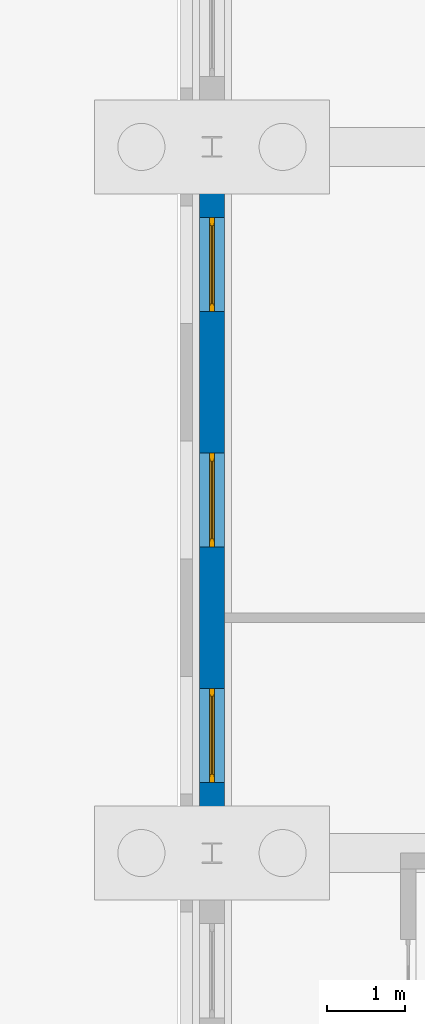
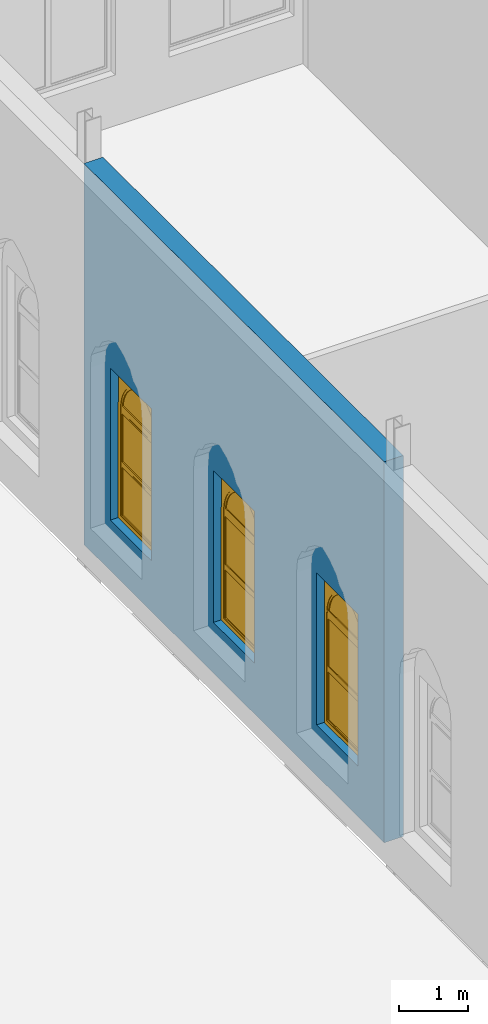
# One storey, part 87 of 250: 3 windows, 1 wall, 3 openings.
"""IFC4 building model written with IfcOpenShell, lengths in metres."""

from ifc_helpers import new_model, si_unit, direction, frame, frame_2d, origin, place, context, subcontext, project, spatial, polyline, rectangle, outline, extrude, material, layer, layer_set, type_object, element, fill, save


model = new_model("IFC4")

# Units and contexts
model_context = context("Model", 3, precision=1e-05, world=origin(), true_north=direction((0.0, 1.0)))
body_context = subcontext(model_context, "Body", "Model", "MODEL_VIEW")
ifc_project = project(units=[si_unit("LENGTHUNIT", "METRE"), si_unit("AREAUNIT", "SQUARE_METRE"), si_unit("VOLUMEUNIT", "CUBIC_METRE"), si_unit("PLANEANGLEUNIT", "RADIAN"), si_unit("MASSUNIT", "GRAM", prefix="KILO")], contexts=[model_context])

# Site, building, storey
site_placement = place(None, origin())
site = spatial("IfcSite", under=ifc_project, at=site_placement, CompositionType="ELEMENT")
building_placement = place(site_placement, origin())
building = spatial("IfcBuilding", under=site, at=building_placement, Name="Baradari Gate Terminus", CompositionType="ELEMENT")
storey_placement = place(building_placement, origin())
storey = spatial("IfcBuildingStorey", under=building, at=storey_placement, Name="L00", CompositionType="ELEMENT", Elevation=0.0)

# Wall, openings, windows
ifc_material_1 = material(Name="Sandstone masonry", Category="masonry")
ifc_layer = layer(ifc_material_1, 0.320068359375)
ifc_layer_set = layer_set([ifc_layer], Name="Sandstone masonry")
wall_type = type_object("IfcWallType", Name="Sandstone masonry wall WS-3 320", PredefinedType="SOLIDWALL", material=ifc_layer_set)
wall_placement = place(storey_placement, frame((63.0, 18.130126953125, 0.0), z_axis=(0.0, 0.0, 1.0), x_axis=(0.0, 1.0, 0.0)))
wall = element("IfcWall", 1, at=wall_placement, inside=storey, type_object=wall_type, Name="west end wall SW bay 3 L00", PredefinedType="SOLIDWALL", context=body_context, shape_type="SweptSolid", body=[
    extrude(rectangle(XDim=8.73974609375, YDim=0.320068359375, at=frame_2d((4.369873046875, 0.0))), origin(), (0.0, 0.0, 1.0), 6.767333984375),
])
opening_1_placement = place(wall_placement, frame((0.769775390625, 0.0, 0.89990234375)))
opening_1 = element("IfcOpeningElement", 2, at=opening_1_placement, cuts=wall, Name="Opening W7", PredefinedType="OPENING", context=body_context, shape_type="SweptSolid", body=[
    extrude(rectangle(XDim=1.199951171875, YDim=2.699951171875, at=frame_2d((0.60009765625, 1.35009765625))), frame((0.0, 0.169921875, 0.0), z_axis=(0.0, -1.0, 0.0), x_axis=(1.0, 0.0, 0.0)), (0.0, 0.0, 1.0), 0.340087890625),
])
opening_2_placement = place(wall_placement, frame((3.769775390625, 0.0, 0.89990234375)))
opening_2 = element("IfcOpeningElement", 3, at=opening_2_placement, cuts=wall, Name="Opening W7", PredefinedType="OPENING", context=body_context, shape_type="SweptSolid", body=[
    extrude(rectangle(XDim=1.199951171875, YDim=2.699951171875, at=frame_2d((0.60009765625, 1.35009765625))), frame((0.0, 0.169921875, 0.0), z_axis=(0.0, -1.0, 0.0), x_axis=(1.0, 0.0, 0.0)), (0.0, 0.0, 1.0), 0.340087890625),
])
opening_3_placement = place(wall_placement, frame((6.769775390625, 0.0, 0.89990234375)))
opening_3 = element("IfcOpeningElement", 4, at=opening_3_placement, cuts=wall, Name="Opening W7", PredefinedType="OPENING", context=body_context, shape_type="SweptSolid", body=[
    extrude(rectangle(XDim=1.199951171875, YDim=2.699951171875, at=frame_2d((0.60009765625, 1.35009765625))), frame((0.0, 0.169921875, 0.0), z_axis=(0.0, -1.0, 0.0), x_axis=(1.0, 0.0, 0.0)), (0.0, 0.0, 1.0), 0.340087890625),
])
ifc_material_2 = material(Name="Aluminium 6063-T6", Category="aluminium")
window_type = type_object("IfcWindowType", Name="Service block window W7 1200x2700", PartitioningType="DOUBLE_PANEL_HORIZONTAL", PredefinedType="WINDOW", material=ifc_material_2)
window_1_placement = place(opening_1_placement, origin())
window_1 = element("IfcWindow", 5, at=window_1_placement, inside=storey, type_object=window_type, Name="Window W7 SW/02", OverallHeight=2.7, OverallWidth=1.2, PartitioningType="DOUBLE_PANEL_HORIZONTAL", PredefinedType="WINDOW", context=body_context, shape_type="SweptSolid", body=[
    extrude(outline(polyline([(0.0, 0.0), (1.199951171875, 0.0), (1.199951171875, 1.969970703125), (1.195068359375, 2.05517578125), (1.180419921875, 2.13916015625), (1.15625, 2.220947265625), (1.123046875, 2.29931640625), (1.0810546875, 2.37353515625), (1.03076171875, 2.4423828125), (0.972900390625, 2.505126953125), (0.908203125, 2.560791015625), (0.837646484375, 2.608642578125), (0.76220703125, 2.648193359375), (0.6826171875, 2.6787109375), (0.599853515625, 2.699951171875), (0.517333984375, 2.6787109375), (0.437744140625, 2.648193359375), (0.3623046875, 2.608642578125), (0.291748046875, 2.560791015625), (0.22705078125, 2.505126953125), (0.169189453125, 2.4423828125), (0.118896484375, 2.37353515625), (0.076904296875, 2.29931640625), (0.043701171875, 2.220947265625), (0.01953125, 2.13916015625), (0.0048828125, 2.05517578125), (0.0, 1.969970703125), (0.0, 0.0)]), holes=[polyline([(0.070068359375, 0.070068359375), (1.1298828125, 0.070068359375), (1.1298828125, 1.969970703125), (1.12548828125, 2.0458984375), (1.11279296875, 2.12109375), (1.091552734375, 2.1943359375), (1.062255859375, 2.2646484375), (1.025390625, 2.3310546875), (0.98095703125, 2.39306640625), (0.929931640625, 2.44970703125), (0.873046875, 2.500244140625), (0.810791015625, 2.5439453125), (0.743896484375, 2.58056640625), (0.67333984375, 2.609375), (0.60009765625, 2.6298828125), (0.526611328125, 2.609375), (0.4560546875, 2.58056640625), (0.38916015625, 2.5439453125), (0.326904296875, 2.500244140625), (0.27001953125, 2.44970703125), (0.218994140625, 2.39306640625), (0.174560546875, 2.3310546875), (0.1376953125, 2.2646484375), (0.1083984375, 2.1943359375), (0.087158203125, 2.12109375), (0.074462890625, 2.0458984375), (0.070068359375, 1.969970703125), (0.070068359375, 0.070068359375)])]), frame((0.0, 0.030029296875, 0.0), z_axis=(0.0, -1.0, 0.0), x_axis=(1.0, 0.0, 0.0)), (0.0, 0.0, 1.0), 0.06005859375),
    extrude(outline(polyline([(0.0, 1.969970703125), (0.0048828125, 2.05517578125), (0.01953125, 2.13916015625), (0.043701171875, 2.220947265625), (0.076904296875, 2.29931640625), (0.118896484375, 2.37353515625), (0.169189453125, 2.4423828125), (0.22705078125, 2.505126953125), (0.291748046875, 2.560791015625), (0.3623046875, 2.608642578125), (0.437744140625, 2.648193359375), (0.517333984375, 2.6787109375), (0.599853515625, 2.699951171875), (0.0, 2.699951171875), (0.0, 1.969970703125)])), frame((0.0, 0.028076171875, 0.0), z_axis=(0.0, -1.0, 0.0), x_axis=(1.0, 0.0, 0.0)), (0.0, 0.0, 1.0), 0.05615234375),
    extrude(outline(polyline([(0.599853515625, 2.699951171875), (0.6826171875, 2.6787109375), (0.76220703125, 2.648193359375), (0.837646484375, 2.608642578125), (0.908203125, 2.560791015625), (0.972900390625, 2.505126953125), (1.03076171875, 2.4423828125), (1.0810546875, 2.37353515625), (1.123046875, 2.29931640625), (1.15625, 2.220947265625), (1.180419921875, 2.13916015625), (1.195068359375, 2.05517578125), (1.199951171875, 1.969970703125), (1.199951171875, 2.699951171875), (0.599853515625, 2.699951171875)])), frame((0.0, 0.027099609375, 0.0), z_axis=(0.0, -1.0, 0.0), x_axis=(1.0, 0.0, 0.0)), (0.0, 0.0, 1.0), 0.05419921875),
    extrude(outline(polyline([(1.127685546875, 2.010009765625), (0.072265625, 2.010009765625), (0.070068359375, 1.969970703125), (0.070068359375, 1.929931640625), (1.1298828125, 1.929931640625), (1.1298828125, 1.969970703125), (1.127685546875, 2.010009765625)])), frame((0.0, 0.02099609375, 0.0), z_axis=(0.0, -1.0, 0.0), x_axis=(1.0, 0.0, 0.0)), (0.0, 0.0, 1.0), 0.0419921875),
    extrude(rectangle(XDim=1.059814453125, YDim=0.0400390625, at=frame_2d((0.60009765625, 1.0))), frame((0.0, 0.021484375, 0.0), z_axis=(0.0, -1.0, 0.0), x_axis=(1.0, 0.0, 0.0)), (0.0, 0.0, 1.0), 0.04296875),
    extrude(outline(polyline([(0.070068359375, 0.070068359375), (1.1298828125, 0.070068359375), (1.1298828125, 0.97998046875), (0.070068359375, 0.97998046875), (0.070068359375, 0.070068359375)]), holes=[polyline([(0.10009765625, 0.10009765625), (1.099853515625, 0.10009765625), (1.099853515625, 0.949951171875), (0.10009765625, 0.949951171875), (0.10009765625, 0.10009765625)])]), frame((0.0, 0.0224609375, 0.0), z_axis=(0.0, -1.0, 0.0), x_axis=(1.0, 0.0, 0.0)), (0.0, 0.0, 1.0), 0.044921875),
    extrude(rectangle(XDim=0.999755859375, YDim=0.849853515625, at=frame_2d((0.60009765625, 0.52490234375))), frame((0.0, 0.006103515625, 0.0), z_axis=(0.0, -1.0, 0.0), x_axis=(1.0, 0.0, 0.0)), (0.0, 0.0, 1.0), 0.01220703125),
    extrude(outline(polyline([(0.070068359375, 1.02001953125), (1.1298828125, 1.02001953125), (1.1298828125, 1.929931640625), (0.070068359375, 1.929931640625), (0.070068359375, 1.02001953125)]), holes=[polyline([(0.10009765625, 1.050048828125), (1.099853515625, 1.050048828125), (1.099853515625, 1.89990234375), (0.10009765625, 1.89990234375), (0.10009765625, 1.050048828125)])]), frame((0.0, 0.0224609375, 0.0), z_axis=(0.0, -1.0, 0.0), x_axis=(1.0, 0.0, 0.0)), (0.0, 0.0, 1.0), 0.044921875),
    extrude(rectangle(XDim=0.999755859375, YDim=0.849853515625, at=frame_2d((0.60009765625, 1.47509765625))), frame((0.0, 0.006103515625, 0.0), z_axis=(0.0, -1.0, 0.0), x_axis=(1.0, 0.0, 0.0)), (0.0, 0.0, 1.0), 0.01220703125),
    extrude(outline(polyline([(0.072265625, 2.010009765625), (1.127685546875, 2.010009765625), (1.12548828125, 2.0458984375), (1.11279296875, 2.12109375), (1.091552734375, 2.1943359375), (1.062255859375, 2.2646484375), (1.025390625, 2.3310546875), (0.98095703125, 2.39306640625), (0.929931640625, 2.44970703125), (0.873046875, 2.500244140625), (0.810791015625, 2.5439453125), (0.743896484375, 2.58056640625), (0.67333984375, 2.609375), (0.60009765625, 2.6298828125), (0.526611328125, 2.609375), (0.4560546875, 2.58056640625), (0.38916015625, 2.5439453125), (0.326904296875, 2.500244140625), (0.27001953125, 2.44970703125), (0.218994140625, 2.39306640625), (0.174560546875, 2.3310546875), (0.1376953125, 2.2646484375), (0.1083984375, 2.1943359375), (0.087158203125, 2.12109375), (0.074462890625, 2.0458984375), (0.072265625, 2.010009765625)]), holes=[polyline([(0.10986328125, 2.044921875), (0.121337890625, 2.11328125), (0.141357421875, 2.1826171875), (0.169189453125, 2.249267578125), (0.2041015625, 2.312255859375), (0.246337890625, 2.37109375), (0.294677734375, 2.4248046875), (0.3486328125, 2.47265625), (0.40771484375, 2.51416015625), (0.47119140625, 2.548828125), (0.5380859375, 2.576171875), (0.60009765625, 2.593505859375), (0.661865234375, 2.576171875), (0.728759765625, 2.548828125), (0.792236328125, 2.51416015625), (0.851318359375, 2.47265625), (0.9052734375, 2.4248046875), (0.95361328125, 2.37109375), (0.995849609375, 2.312255859375), (1.03076171875, 2.249267578125), (1.05859375, 2.1826171875), (1.07861328125, 2.11328125), (1.090087890625, 2.044921875), (0.10986328125, 2.044921875)])]), frame((0.0, 0.0224609375, 0.0), z_axis=(0.0, -1.0, 0.0), x_axis=(1.0, 0.0, 0.0)), (0.0, 0.0, 1.0), 0.044921875),
    extrude(outline(polyline([(1.090087890625, 2.044921875), (1.07861328125, 2.11328125), (1.05859375, 2.1826171875), (1.03076171875, 2.249267578125), (0.995849609375, 2.312255859375), (0.95361328125, 2.37109375), (0.9052734375, 2.4248046875), (0.851318359375, 2.47265625), (0.792236328125, 2.51416015625), (0.728759765625, 2.548828125), (0.661865234375, 2.576171875), (0.60009765625, 2.593505859375), (0.5380859375, 2.576171875), (0.47119140625, 2.548828125), (0.40771484375, 2.51416015625), (0.3486328125, 2.47265625), (0.294677734375, 2.4248046875), (0.246337890625, 2.37109375), (0.2041015625, 2.312255859375), (0.169189453125, 2.249267578125), (0.141357421875, 2.1826171875), (0.121337890625, 2.11328125), (0.10986328125, 2.044921875), (1.090087890625, 2.044921875)])), frame((0.0, 0.006103515625, 0.0), z_axis=(0.0, -1.0, 0.0), x_axis=(1.0, 0.0, 0.0)), (0.0, 0.0, 1.0), 0.01220703125),
])
fill(opening_1, window_1)
window_2_placement = place(opening_2_placement, origin())
window_2 = element("IfcWindow", 6, at=window_2_placement, inside=storey, type_object=window_type, Name="Window W7 SW/02", OverallHeight=2.7, OverallWidth=1.2, PartitioningType="DOUBLE_PANEL_HORIZONTAL", PredefinedType="WINDOW", context=body_context, shape_type="SweptSolid", body=[
    extrude(outline(polyline([(0.0, 0.0), (1.199951171875, 0.0), (1.199951171875, 1.969970703125), (1.195068359375, 2.05517578125), (1.180419921875, 2.13916015625), (1.15625, 2.220947265625), (1.123046875, 2.29931640625), (1.0810546875, 2.37353515625), (1.03076171875, 2.4423828125), (0.972900390625, 2.505126953125), (0.908203125, 2.560791015625), (0.837646484375, 2.608642578125), (0.76220703125, 2.648193359375), (0.6826171875, 2.6787109375), (0.599853515625, 2.699951171875), (0.517333984375, 2.6787109375), (0.437744140625, 2.648193359375), (0.3623046875, 2.608642578125), (0.291748046875, 2.560791015625), (0.22705078125, 2.505126953125), (0.169189453125, 2.4423828125), (0.118896484375, 2.37353515625), (0.076904296875, 2.29931640625), (0.043701171875, 2.220947265625), (0.01953125, 2.13916015625), (0.0048828125, 2.05517578125), (0.0, 1.969970703125), (0.0, 0.0)]), holes=[polyline([(0.070068359375, 0.070068359375), (1.1298828125, 0.070068359375), (1.1298828125, 1.969970703125), (1.12548828125, 2.0458984375), (1.11279296875, 2.12109375), (1.091552734375, 2.1943359375), (1.062255859375, 2.2646484375), (1.025390625, 2.3310546875), (0.98095703125, 2.39306640625), (0.929931640625, 2.44970703125), (0.873046875, 2.500244140625), (0.810791015625, 2.5439453125), (0.743896484375, 2.58056640625), (0.67333984375, 2.609375), (0.60009765625, 2.6298828125), (0.526611328125, 2.609375), (0.4560546875, 2.58056640625), (0.38916015625, 2.5439453125), (0.326904296875, 2.500244140625), (0.27001953125, 2.44970703125), (0.218994140625, 2.39306640625), (0.174560546875, 2.3310546875), (0.1376953125, 2.2646484375), (0.1083984375, 2.1943359375), (0.087158203125, 2.12109375), (0.074462890625, 2.0458984375), (0.070068359375, 1.969970703125), (0.070068359375, 0.070068359375)])]), frame((0.0, 0.030029296875, 0.0), z_axis=(0.0, -1.0, 0.0), x_axis=(1.0, 0.0, 0.0)), (0.0, 0.0, 1.0), 0.06005859375),
    extrude(outline(polyline([(0.0, 1.969970703125), (0.0048828125, 2.05517578125), (0.01953125, 2.13916015625), (0.043701171875, 2.220947265625), (0.076904296875, 2.29931640625), (0.118896484375, 2.37353515625), (0.169189453125, 2.4423828125), (0.22705078125, 2.505126953125), (0.291748046875, 2.560791015625), (0.3623046875, 2.608642578125), (0.437744140625, 2.648193359375), (0.517333984375, 2.6787109375), (0.599853515625, 2.699951171875), (0.0, 2.699951171875), (0.0, 1.969970703125)])), frame((0.0, 0.028076171875, 0.0), z_axis=(0.0, -1.0, 0.0), x_axis=(1.0, 0.0, 0.0)), (0.0, 0.0, 1.0), 0.05615234375),
    extrude(outline(polyline([(0.599853515625, 2.699951171875), (0.6826171875, 2.6787109375), (0.76220703125, 2.648193359375), (0.837646484375, 2.608642578125), (0.908203125, 2.560791015625), (0.972900390625, 2.505126953125), (1.03076171875, 2.4423828125), (1.0810546875, 2.37353515625), (1.123046875, 2.29931640625), (1.15625, 2.220947265625), (1.180419921875, 2.13916015625), (1.195068359375, 2.05517578125), (1.199951171875, 1.969970703125), (1.199951171875, 2.699951171875), (0.599853515625, 2.699951171875)])), frame((0.0, 0.027099609375, 0.0), z_axis=(0.0, -1.0, 0.0), x_axis=(1.0, 0.0, 0.0)), (0.0, 0.0, 1.0), 0.05419921875),
    extrude(outline(polyline([(1.127685546875, 2.010009765625), (0.072265625, 2.010009765625), (0.070068359375, 1.969970703125), (0.070068359375, 1.929931640625), (1.1298828125, 1.929931640625), (1.1298828125, 1.969970703125), (1.127685546875, 2.010009765625)])), frame((0.0, 0.02099609375, 0.0), z_axis=(0.0, -1.0, 0.0), x_axis=(1.0, 0.0, 0.0)), (0.0, 0.0, 1.0), 0.0419921875),
    extrude(rectangle(XDim=1.059814453125, YDim=0.0400390625, at=frame_2d((0.60009765625, 1.0))), frame((0.0, 0.021484375, 0.0), z_axis=(0.0, -1.0, 0.0), x_axis=(1.0, 0.0, 0.0)), (0.0, 0.0, 1.0), 0.04296875),
    extrude(outline(polyline([(0.070068359375, 0.070068359375), (1.1298828125, 0.070068359375), (1.1298828125, 0.97998046875), (0.070068359375, 0.97998046875), (0.070068359375, 0.070068359375)]), holes=[polyline([(0.10009765625, 0.10009765625), (1.099853515625, 0.10009765625), (1.099853515625, 0.949951171875), (0.10009765625, 0.949951171875), (0.10009765625, 0.10009765625)])]), frame((0.0, 0.0224609375, 0.0), z_axis=(0.0, -1.0, 0.0), x_axis=(1.0, 0.0, 0.0)), (0.0, 0.0, 1.0), 0.044921875),
    extrude(rectangle(XDim=0.999755859375, YDim=0.849853515625, at=frame_2d((0.60009765625, 0.52490234375))), frame((0.0, 0.006103515625, 0.0), z_axis=(0.0, -1.0, 0.0), x_axis=(1.0, 0.0, 0.0)), (0.0, 0.0, 1.0), 0.01220703125),
    extrude(outline(polyline([(0.070068359375, 1.02001953125), (1.1298828125, 1.02001953125), (1.1298828125, 1.929931640625), (0.070068359375, 1.929931640625), (0.070068359375, 1.02001953125)]), holes=[polyline([(0.10009765625, 1.050048828125), (1.099853515625, 1.050048828125), (1.099853515625, 1.89990234375), (0.10009765625, 1.89990234375), (0.10009765625, 1.050048828125)])]), frame((0.0, 0.0224609375, 0.0), z_axis=(0.0, -1.0, 0.0), x_axis=(1.0, 0.0, 0.0)), (0.0, 0.0, 1.0), 0.044921875),
    extrude(rectangle(XDim=0.999755859375, YDim=0.849853515625, at=frame_2d((0.60009765625, 1.47509765625))), frame((0.0, 0.006103515625, 0.0), z_axis=(0.0, -1.0, 0.0), x_axis=(1.0, 0.0, 0.0)), (0.0, 0.0, 1.0), 0.01220703125),
    extrude(outline(polyline([(0.072265625, 2.010009765625), (1.127685546875, 2.010009765625), (1.12548828125, 2.0458984375), (1.11279296875, 2.12109375), (1.091552734375, 2.1943359375), (1.062255859375, 2.2646484375), (1.025390625, 2.3310546875), (0.98095703125, 2.39306640625), (0.929931640625, 2.44970703125), (0.873046875, 2.500244140625), (0.810791015625, 2.5439453125), (0.743896484375, 2.58056640625), (0.67333984375, 2.609375), (0.60009765625, 2.6298828125), (0.526611328125, 2.609375), (0.4560546875, 2.58056640625), (0.38916015625, 2.5439453125), (0.326904296875, 2.500244140625), (0.27001953125, 2.44970703125), (0.218994140625, 2.39306640625), (0.174560546875, 2.3310546875), (0.1376953125, 2.2646484375), (0.1083984375, 2.1943359375), (0.087158203125, 2.12109375), (0.074462890625, 2.0458984375), (0.072265625, 2.010009765625)]), holes=[polyline([(0.10986328125, 2.044921875), (0.121337890625, 2.11328125), (0.141357421875, 2.1826171875), (0.169189453125, 2.249267578125), (0.2041015625, 2.312255859375), (0.246337890625, 2.37109375), (0.294677734375, 2.4248046875), (0.3486328125, 2.47265625), (0.40771484375, 2.51416015625), (0.47119140625, 2.548828125), (0.5380859375, 2.576171875), (0.60009765625, 2.593505859375), (0.661865234375, 2.576171875), (0.728759765625, 2.548828125), (0.792236328125, 2.51416015625), (0.851318359375, 2.47265625), (0.9052734375, 2.4248046875), (0.95361328125, 2.37109375), (0.995849609375, 2.312255859375), (1.03076171875, 2.249267578125), (1.05859375, 2.1826171875), (1.07861328125, 2.11328125), (1.090087890625, 2.044921875), (0.10986328125, 2.044921875)])]), frame((0.0, 0.0224609375, 0.0), z_axis=(0.0, -1.0, 0.0), x_axis=(1.0, 0.0, 0.0)), (0.0, 0.0, 1.0), 0.044921875),
    extrude(outline(polyline([(1.090087890625, 2.044921875), (1.07861328125, 2.11328125), (1.05859375, 2.1826171875), (1.03076171875, 2.249267578125), (0.995849609375, 2.312255859375), (0.95361328125, 2.37109375), (0.9052734375, 2.4248046875), (0.851318359375, 2.47265625), (0.792236328125, 2.51416015625), (0.728759765625, 2.548828125), (0.661865234375, 2.576171875), (0.60009765625, 2.593505859375), (0.5380859375, 2.576171875), (0.47119140625, 2.548828125), (0.40771484375, 2.51416015625), (0.3486328125, 2.47265625), (0.294677734375, 2.4248046875), (0.246337890625, 2.37109375), (0.2041015625, 2.312255859375), (0.169189453125, 2.249267578125), (0.141357421875, 2.1826171875), (0.121337890625, 2.11328125), (0.10986328125, 2.044921875), (1.090087890625, 2.044921875)])), frame((0.0, 0.006103515625, 0.0), z_axis=(0.0, -1.0, 0.0), x_axis=(1.0, 0.0, 0.0)), (0.0, 0.0, 1.0), 0.01220703125),
])
fill(opening_2, window_2)
window_3_placement = place(opening_3_placement, origin())
window_3 = element("IfcWindow", 7, at=window_3_placement, inside=storey, type_object=window_type, Name="Window W7 SW/02", OverallHeight=2.7, OverallWidth=1.2, PartitioningType="DOUBLE_PANEL_HORIZONTAL", PredefinedType="WINDOW", context=body_context, shape_type="SweptSolid", body=[
    extrude(outline(polyline([(0.0, 0.0), (1.199951171875, 0.0), (1.199951171875, 1.969970703125), (1.195068359375, 2.05517578125), (1.180419921875, 2.13916015625), (1.15625, 2.220947265625), (1.123046875, 2.29931640625), (1.0810546875, 2.37353515625), (1.03076171875, 2.4423828125), (0.972900390625, 2.505126953125), (0.908203125, 2.560791015625), (0.837646484375, 2.608642578125), (0.76220703125, 2.648193359375), (0.6826171875, 2.6787109375), (0.599853515625, 2.699951171875), (0.517333984375, 2.6787109375), (0.437744140625, 2.648193359375), (0.3623046875, 2.608642578125), (0.291748046875, 2.560791015625), (0.22705078125, 2.505126953125), (0.169189453125, 2.4423828125), (0.118896484375, 2.37353515625), (0.076904296875, 2.29931640625), (0.043701171875, 2.220947265625), (0.01953125, 2.13916015625), (0.0048828125, 2.05517578125), (0.0, 1.969970703125), (0.0, 0.0)]), holes=[polyline([(0.070068359375, 0.070068359375), (1.1298828125, 0.070068359375), (1.1298828125, 1.969970703125), (1.12548828125, 2.0458984375), (1.11279296875, 2.12109375), (1.091552734375, 2.1943359375), (1.062255859375, 2.2646484375), (1.025390625, 2.3310546875), (0.98095703125, 2.39306640625), (0.929931640625, 2.44970703125), (0.873046875, 2.500244140625), (0.810791015625, 2.5439453125), (0.743896484375, 2.58056640625), (0.67333984375, 2.609375), (0.60009765625, 2.6298828125), (0.526611328125, 2.609375), (0.4560546875, 2.58056640625), (0.38916015625, 2.5439453125), (0.326904296875, 2.500244140625), (0.27001953125, 2.44970703125), (0.218994140625, 2.39306640625), (0.174560546875, 2.3310546875), (0.1376953125, 2.2646484375), (0.1083984375, 2.1943359375), (0.087158203125, 2.12109375), (0.074462890625, 2.0458984375), (0.070068359375, 1.969970703125), (0.070068359375, 0.070068359375)])]), frame((0.0, 0.030029296875, 0.0), z_axis=(0.0, -1.0, 0.0), x_axis=(1.0, 0.0, 0.0)), (0.0, 0.0, 1.0), 0.06005859375),
    extrude(outline(polyline([(0.0, 1.969970703125), (0.0048828125, 2.05517578125), (0.01953125, 2.13916015625), (0.043701171875, 2.220947265625), (0.076904296875, 2.29931640625), (0.118896484375, 2.37353515625), (0.169189453125, 2.4423828125), (0.22705078125, 2.505126953125), (0.291748046875, 2.560791015625), (0.3623046875, 2.608642578125), (0.437744140625, 2.648193359375), (0.517333984375, 2.6787109375), (0.599853515625, 2.699951171875), (0.0, 2.699951171875), (0.0, 1.969970703125)])), frame((0.0, 0.028076171875, 0.0), z_axis=(0.0, -1.0, 0.0), x_axis=(1.0, 0.0, 0.0)), (0.0, 0.0, 1.0), 0.05615234375),
    extrude(outline(polyline([(0.599853515625, 2.699951171875), (0.6826171875, 2.6787109375), (0.76220703125, 2.648193359375), (0.837646484375, 2.608642578125), (0.908203125, 2.560791015625), (0.972900390625, 2.505126953125), (1.03076171875, 2.4423828125), (1.0810546875, 2.37353515625), (1.123046875, 2.29931640625), (1.15625, 2.220947265625), (1.180419921875, 2.13916015625), (1.195068359375, 2.05517578125), (1.199951171875, 1.969970703125), (1.199951171875, 2.699951171875), (0.599853515625, 2.699951171875)])), frame((0.0, 0.027099609375, 0.0), z_axis=(0.0, -1.0, 0.0), x_axis=(1.0, 0.0, 0.0)), (0.0, 0.0, 1.0), 0.05419921875),
    extrude(outline(polyline([(1.127685546875, 2.010009765625), (0.072265625, 2.010009765625), (0.070068359375, 1.969970703125), (0.070068359375, 1.929931640625), (1.1298828125, 1.929931640625), (1.1298828125, 1.969970703125), (1.127685546875, 2.010009765625)])), frame((0.0, 0.02099609375, 0.0), z_axis=(0.0, -1.0, 0.0), x_axis=(1.0, 0.0, 0.0)), (0.0, 0.0, 1.0), 0.0419921875),
    extrude(rectangle(XDim=1.059814453125, YDim=0.0400390625, at=frame_2d((0.60009765625, 1.0))), frame((0.0, 0.021484375, 0.0), z_axis=(0.0, -1.0, 0.0), x_axis=(1.0, 0.0, 0.0)), (0.0, 0.0, 1.0), 0.04296875),
    extrude(outline(polyline([(0.070068359375, 0.070068359375), (1.1298828125, 0.070068359375), (1.1298828125, 0.97998046875), (0.070068359375, 0.97998046875), (0.070068359375, 0.070068359375)]), holes=[polyline([(0.10009765625, 0.10009765625), (1.099853515625, 0.10009765625), (1.099853515625, 0.949951171875), (0.10009765625, 0.949951171875), (0.10009765625, 0.10009765625)])]), frame((0.0, 0.0224609375, 0.0), z_axis=(0.0, -1.0, 0.0), x_axis=(1.0, 0.0, 0.0)), (0.0, 0.0, 1.0), 0.044921875),
    extrude(rectangle(XDim=0.999755859375, YDim=0.849853515625, at=frame_2d((0.60009765625, 0.52490234375))), frame((0.0, 0.006103515625, 0.0), z_axis=(0.0, -1.0, 0.0), x_axis=(1.0, 0.0, 0.0)), (0.0, 0.0, 1.0), 0.01220703125),
    extrude(outline(polyline([(0.070068359375, 1.02001953125), (1.1298828125, 1.02001953125), (1.1298828125, 1.929931640625), (0.070068359375, 1.929931640625), (0.070068359375, 1.02001953125)]), holes=[polyline([(0.10009765625, 1.050048828125), (1.099853515625, 1.050048828125), (1.099853515625, 1.89990234375), (0.10009765625, 1.89990234375), (0.10009765625, 1.050048828125)])]), frame((0.0, 0.0224609375, 0.0), z_axis=(0.0, -1.0, 0.0), x_axis=(1.0, 0.0, 0.0)), (0.0, 0.0, 1.0), 0.044921875),
    extrude(rectangle(XDim=0.999755859375, YDim=0.849853515625, at=frame_2d((0.60009765625, 1.47509765625))), frame((0.0, 0.006103515625, 0.0), z_axis=(0.0, -1.0, 0.0), x_axis=(1.0, 0.0, 0.0)), (0.0, 0.0, 1.0), 0.01220703125),
    extrude(outline(polyline([(0.072265625, 2.010009765625), (1.127685546875, 2.010009765625), (1.12548828125, 2.0458984375), (1.11279296875, 2.12109375), (1.091552734375, 2.1943359375), (1.062255859375, 2.2646484375), (1.025390625, 2.3310546875), (0.98095703125, 2.39306640625), (0.929931640625, 2.44970703125), (0.873046875, 2.500244140625), (0.810791015625, 2.5439453125), (0.743896484375, 2.58056640625), (0.67333984375, 2.609375), (0.60009765625, 2.6298828125), (0.526611328125, 2.609375), (0.4560546875, 2.58056640625), (0.38916015625, 2.5439453125), (0.326904296875, 2.500244140625), (0.27001953125, 2.44970703125), (0.218994140625, 2.39306640625), (0.174560546875, 2.3310546875), (0.1376953125, 2.2646484375), (0.1083984375, 2.1943359375), (0.087158203125, 2.12109375), (0.074462890625, 2.0458984375), (0.072265625, 2.010009765625)]), holes=[polyline([(0.10986328125, 2.044921875), (0.121337890625, 2.11328125), (0.141357421875, 2.1826171875), (0.169189453125, 2.249267578125), (0.2041015625, 2.312255859375), (0.246337890625, 2.37109375), (0.294677734375, 2.4248046875), (0.3486328125, 2.47265625), (0.40771484375, 2.51416015625), (0.47119140625, 2.548828125), (0.5380859375, 2.576171875), (0.60009765625, 2.593505859375), (0.661865234375, 2.576171875), (0.728759765625, 2.548828125), (0.792236328125, 2.51416015625), (0.851318359375, 2.47265625), (0.9052734375, 2.4248046875), (0.95361328125, 2.37109375), (0.995849609375, 2.312255859375), (1.03076171875, 2.249267578125), (1.05859375, 2.1826171875), (1.07861328125, 2.11328125), (1.090087890625, 2.044921875), (0.10986328125, 2.044921875)])]), frame((0.0, 0.0224609375, 0.0), z_axis=(0.0, -1.0, 0.0), x_axis=(1.0, 0.0, 0.0)), (0.0, 0.0, 1.0), 0.044921875),
    extrude(outline(polyline([(1.090087890625, 2.044921875), (1.07861328125, 2.11328125), (1.05859375, 2.1826171875), (1.03076171875, 2.249267578125), (0.995849609375, 2.312255859375), (0.95361328125, 2.37109375), (0.9052734375, 2.4248046875), (0.851318359375, 2.47265625), (0.792236328125, 2.51416015625), (0.728759765625, 2.548828125), (0.661865234375, 2.576171875), (0.60009765625, 2.593505859375), (0.5380859375, 2.576171875), (0.47119140625, 2.548828125), (0.40771484375, 2.51416015625), (0.3486328125, 2.47265625), (0.294677734375, 2.4248046875), (0.246337890625, 2.37109375), (0.2041015625, 2.312255859375), (0.169189453125, 2.249267578125), (0.141357421875, 2.1826171875), (0.121337890625, 2.11328125), (0.10986328125, 2.044921875), (1.090087890625, 2.044921875)])), frame((0.0, 0.006103515625, 0.0), z_axis=(0.0, -1.0, 0.0), x_axis=(1.0, 0.0, 0.0)), (0.0, 0.0, 1.0), 0.01220703125),
])
fill(opening_3, window_3)

save(model, "model.ifc")
